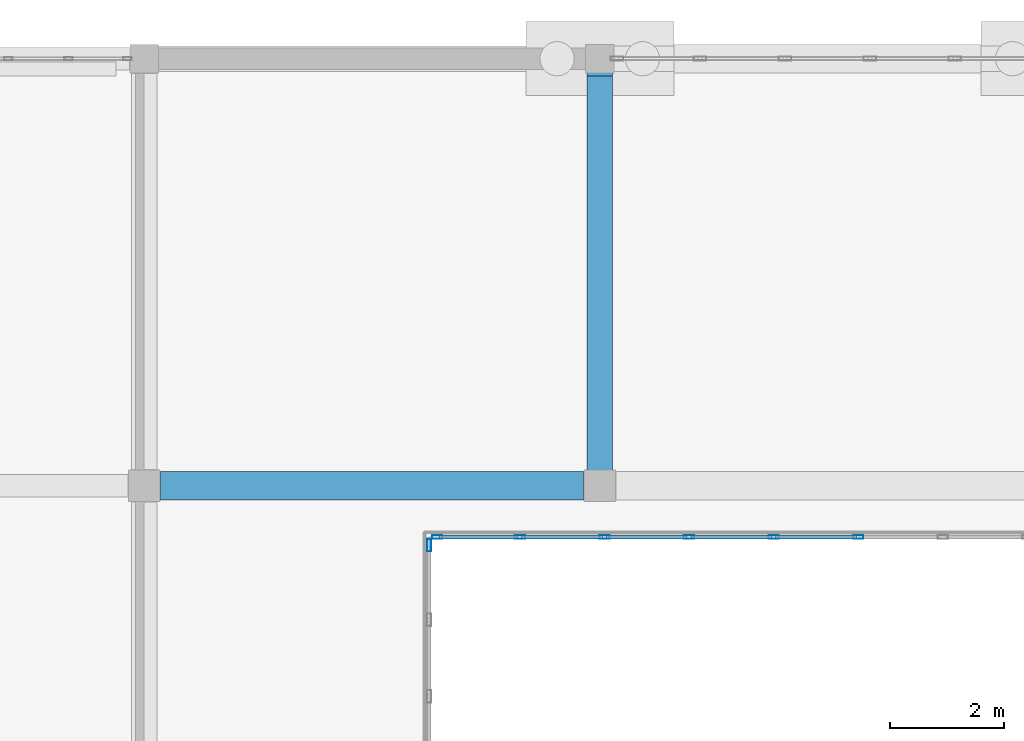
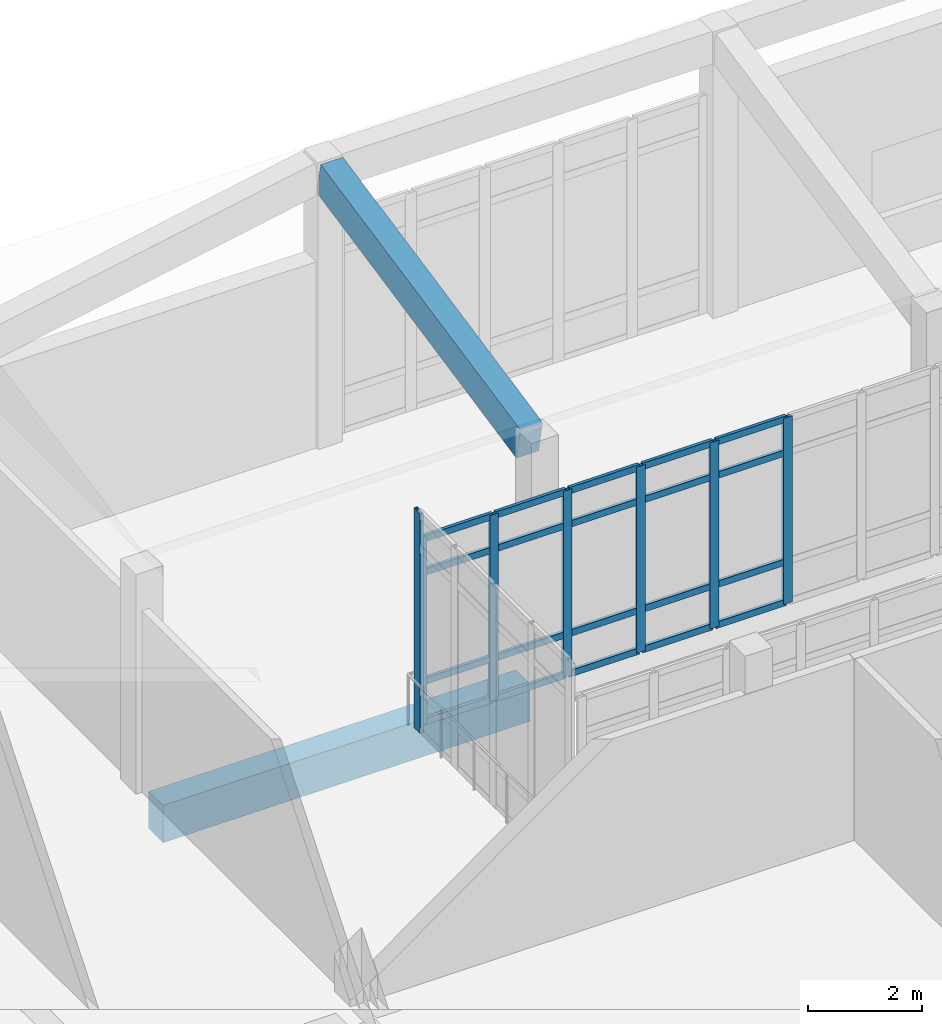
# One storey, part 87 of 173: 27 members, 2 beams, 2 elements without a shape of their own.
"""IFC4 building model written with IfcOpenShell, lengths in metres."""

from ifc_helpers import new_model, si_unit, direction, frame, origin, origin_2d, place, context, subcontext, project, spatial, rectangle, hollow_rectangle, extrude, material, layer, layer_set, material_profile, profile_set, type_object, element, aggregate, save


model = new_model("IFC4")

# Units and contexts
model_context = context("Model", 3, precision=1e-05, world=origin(), true_north=direction((0.0, 1.0)))
body_context = subcontext(model_context, "Body", "Model", "MODEL_VIEW")
ifc_project = project(units=[si_unit("LENGTHUNIT", "METRE"), si_unit("AREAUNIT", "SQUARE_METRE"), si_unit("VOLUMEUNIT", "CUBIC_METRE"), si_unit("PLANEANGLEUNIT", "RADIAN"), si_unit("MASSUNIT", "GRAM", prefix="KILO")], contexts=[model_context])

# Site, building, storey
site_placement = place(None, origin())
site = spatial("IfcSite", under=ifc_project, at=site_placement, CompositionType="ELEMENT")
building_placement = place(site_placement, origin())
building = spatial("IfcBuilding", under=site, at=building_placement, Name="Mawjan Specialist Oncology Clinic", CompositionType="ELEMENT")
storey_placement = place(building_placement, origin())
storey = spatial("IfcBuildingStorey", under=building, at=storey_placement, Name="L00", CompositionType="ELEMENT", Elevation=0.0)

# Beams
ifc_material_1 = material(Name="Concrete C40/50", Category="concrete")
ifc_material_profile_1 = material_profile(ifc_material_1, rectangle(XDim=0.449951171875, YDim=0.699951171875, at=origin_2d()), Name="RC BM 450x700", Category="concrete")
ifc_profile_set_1 = profile_set([ifc_material_profile_1], Name="Concrete C40/50")
beam_type_1 = type_object("IfcBeamType", Name="BM-450x700", PredefinedType="BEAM", material=ifc_profile_set_1)
beam_1_placement = place(storey_placement, frame((116.0, 106.06005859375, 4.35009765625), z_axis=(0.0, 0.979626475295, 0.200828207434), x_axis=(-1.0, 0.0, 0.0)))
element("IfcBeam", 1, at=beam_1_placement, inside=storey, type_object=beam_type_1, Name="L00 Roof Framing Beam BM-RF-L00-1272", PredefinedType="BEAM", context=body_context, shape_type="SweptSolid", body=[
    extrude(rectangle(XDim=0.449951171875, YDim=0.699951171875, at=origin_2d()), origin(), (0.0, 0.0, 1.0), 7.150634765625),
])
ifc_material_2 = material(Name="Concrete C45/55", Category="concrete")
ifc_material_profile_2 = material_profile(ifc_material_2, rectangle(XDim=0.5, YDim=0.800048828125, at=origin_2d()), Name="RC BM 500x800", Category="concrete")
ifc_profile_set_2 = profile_set([ifc_material_profile_2], Name="Concrete C45/55")
beam_type_2 = type_object("IfcBeamType", Name="BM-500x800", PredefinedType="BEAM", material=ifc_profile_set_2)
beam_2_placement = place(storey_placement, frame((108.284912109375, 105.800048828125, -0.85009765625), z_axis=(1.0, 0.0, 0.0), x_axis=(0.0, 1.0, 0.0)))
element("IfcBeam", 2, at=beam_2_placement, inside=storey, type_object=beam_type_2, Name="L00 Collector Beam BM-L00-0095", PredefinedType="BEAM", context=body_context, shape_type="SweptSolid", body=[
    extrude(rectangle(XDim=0.5, YDim=0.800048828125, at=origin_2d()), origin(), (0.0, 0.0, 1.0), 7.43017578125),
])

# Curtain wall, members
ifc_material_3 = material(Name="Unitised spectrally selective aluminium curtain wall", Category="aluminium")
ifc_layer_1 = layer(ifc_material_3, 0.179931640625, Name="Unitised spectrally selective aluminium curtain wall", Category="aluminium")
ifc_layer_set_1 = layer_set([ifc_layer_1], Name="Unitised spectrally selective aluminium curtain wall")
curtain_wall_type_1 = type_object("IfcCurtainWallType", Name="CW-33", PredefinedType="NOTDEFINED", material=ifc_layer_set_1)
curtain_wall_1_placement = place(storey_placement, origin())
curtain_wall_1 = element("IfcCurtainWall", 3, at=curtain_wall_1_placement, inside=storey, type_object=curtain_wall_type_1, Name="L00 Unitised Curtain Wall CW-L00-072", PredefinedType="NOTDEFINED")
ifc_material_4 = material(Name="Thermally broken aluminium 6063-T6", Category="aluminium")
ifc_material_profile_3 = material_profile(ifc_material_4, hollow_rectangle(XDim=0.06494140625, YDim=0.179931640625, WallThickness=0.00390625, at=origin_2d()), Name="ALU MULLION 180x65x4", Category="aluminium")
ifc_profile_set_3 = profile_set([ifc_material_profile_3], Name="Thermally broken aluminium 6063-T6")
member_type_1 = type_object("IfcMemberType", Name="CW-M180", PredefinedType="MULLION", material=ifc_profile_set_3)
member_1_placement = place(storey_placement, frame((120.54052734375, 104.89990234375, 0.0), z_axis=(0.0, 0.0, 1.0), x_axis=(0.0, -1.0, 0.0)))
member_1 = element("IfcMember", 4, at=member_1_placement, type_object=member_type_1, Name="CW-33 mullion 19", PredefinedType="MULLION", context=body_context, shape_type="SweptSolid", body=[
    extrude(hollow_rectangle(XDim=0.06494140625, YDim=0.179931640625, WallThickness=0.00390625, at=origin_2d()), origin(), (0.0, 0.0, 1.0), 3.985107421875),
])
member_2_placement = place(storey_placement, frame((119.054443359375, 104.89990234375, 0.0), z_axis=(0.0, 0.0, 1.0), x_axis=(0.0, -1.0, 0.0)))
member_2 = element("IfcMember", 5, at=member_2_placement, type_object=member_type_1, Name="CW-33 mullion 20", PredefinedType="MULLION", context=body_context, shape_type="SweptSolid", body=[
    extrude(hollow_rectangle(XDim=0.06494140625, YDim=0.179931640625, WallThickness=0.00390625, at=origin_2d()), origin(), (0.0, 0.0, 1.0), 3.985107421875),
])
member_3_placement = place(storey_placement, frame((117.568359375, 104.89990234375, 0.0), z_axis=(0.0, 0.0, 1.0), x_axis=(0.0, -1.0, 0.0)))
member_3 = element("IfcMember", 6, at=member_3_placement, type_object=member_type_1, Name="CW-33 mullion 21", PredefinedType="MULLION", context=body_context, shape_type="SweptSolid", body=[
    extrude(hollow_rectangle(XDim=0.06494140625, YDim=0.179931640625, WallThickness=0.00390625, at=origin_2d()), origin(), (0.0, 0.0, 1.0), 3.985107421875),
])
member_4_placement = place(storey_placement, frame((116.082275390625, 104.89990234375, 0.0), z_axis=(0.0, 0.0, 1.0), x_axis=(0.0, -1.0, 0.0)))
member_4 = element("IfcMember", 7, at=member_4_placement, type_object=member_type_1, Name="CW-33 mullion 22", PredefinedType="MULLION", context=body_context, shape_type="SweptSolid", body=[
    extrude(hollow_rectangle(XDim=0.06494140625, YDim=0.179931640625, WallThickness=0.00390625, at=origin_2d()), origin(), (0.0, 0.0, 1.0), 3.985107421875),
])
member_5_placement = place(storey_placement, frame((114.59619140625, 104.89990234375, 0.0), z_axis=(0.0, 0.0, 1.0), x_axis=(0.0, -1.0, 0.0)))
member_5 = element("IfcMember", 8, at=member_5_placement, type_object=member_type_1, Name="CW-33 mullion 23", PredefinedType="MULLION", context=body_context, shape_type="SweptSolid", body=[
    extrude(hollow_rectangle(XDim=0.06494140625, YDim=0.179931640625, WallThickness=0.00390625, at=origin_2d()), origin(), (0.0, 0.0, 1.0), 3.985107421875),
])
member_6_placement = place(storey_placement, frame((113.142578125, 104.89990234375, 0.0), z_axis=(0.0, 0.0, 1.0), x_axis=(0.0, -1.0, 0.0)))
member_6 = element("IfcMember", 9, at=member_6_placement, type_object=member_type_1, Name="CW-33 mullion 24", PredefinedType="MULLION", context=body_context, shape_type="SweptSolid", body=[
    extrude(hollow_rectangle(XDim=0.06494140625, YDim=0.179931640625, WallThickness=0.00390625, at=origin_2d()), origin(), (0.0, 0.0, 1.0), 3.985107421875),
])

# Curtain wall, member
ifc_material_5 = material(Name="Unitised spectrally selective aluminium curtain wall", Category="aluminium")
ifc_layer_2 = layer(ifc_material_5, 0.179931640625, Name="Unitised spectrally selective aluminium curtain wall", Category="aluminium")
ifc_layer_set_2 = layer_set([ifc_layer_2], Name="Unitised spectrally selective aluminium curtain wall")
curtain_wall_type_2 = type_object("IfcCurtainWallType", Name="CW-32", PredefinedType="NOTDEFINED", material=ifc_layer_set_2)
curtain_wall_2_placement = place(storey_placement, origin())
curtain_wall_2 = element("IfcCurtainWall", 10, at=curtain_wall_2_placement, inside=storey, type_object=curtain_wall_type_2, Name="L00 Unitised Curtain Wall CW-L00-073", PredefinedType="NOTDEFINED")
ifc_material_6 = material(Name="Thermally broken aluminium 6063-T6", Category="aluminium")
ifc_material_profile_4 = material_profile(ifc_material_6, hollow_rectangle(XDim=0.070068359375, YDim=0.219970703125, WallThickness=0.00390625, at=origin_2d()), Name="ALU MULLION 220x70x4", Category="aluminium")
ifc_profile_set_4 = profile_set([ifc_material_profile_4], Name="Thermally broken aluminium 6063-T6")
member_type_2 = type_object("IfcMemberType", Name="CW-M220", PredefinedType="MULLION", material=ifc_profile_set_4)
member_7_placement = place(storey_placement, frame((113.0, 104.7548828125, 0.0), z_axis=(0.0, 0.0, 1.0), x_axis=(1.0, 0.0, 0.0)))
member_7 = element("IfcMember", 11, at=member_7_placement, type_object=member_type_2, Name="CW-32 mullion 1", PredefinedType="MULLION", context=body_context, shape_type="SweptSolid", body=[
    extrude(hollow_rectangle(XDim=0.070068359375, YDim=0.219970703125, WallThickness=0.00390625, at=origin_2d()), origin(), (0.0, 0.0, 1.0), 4.699951171875),
])
aggregate(curtain_wall_2, [member_7])

# Member
ifc_material_7 = material(Name="Thermally broken aluminium 6063-T6", Category="aluminium")
ifc_material_profile_5 = material_profile(ifc_material_7, hollow_rectangle(XDim=0.06494140625, YDim=0.139892578125, WallThickness=0.00390625, at=origin_2d()), Name="ALU TRANSOM 140x65x4", Category="aluminium")
ifc_profile_set_5 = profile_set([ifc_material_profile_5], Name="Thermally broken aluminium 6063-T6")
member_type_3 = type_object("IfcMemberType", Name="CW-T140", PredefinedType="USERDEFINED", material=ifc_profile_set_5)
member_8_placement = place(storey_placement, frame((120.508056640625, 104.89990234375, 0.032470703125), z_axis=(-1.0, 0.0, 0.0), x_axis=(0.0, -1.0, 0.0)))
member_8 = element("IfcMember", 12, at=member_8_placement, type_object=member_type_3, Name="CW-33 transom 19.1", ObjectType="TRANSOM", PredefinedType="USERDEFINED", context=body_context, shape_type="SweptSolid", body=[
    extrude(hollow_rectangle(XDim=0.06494140625, YDim=0.139892578125, WallThickness=0.00390625, at=origin_2d()), origin(), (0.0, 0.0, 1.0), 1.421142578125),
])

member_9_placement = place(storey_placement, frame((120.508056640625, 104.89990234375, 0.89990234375), z_axis=(-1.0, 0.0, 0.0), x_axis=(0.0, -1.0, 0.0)))
member_9 = element("IfcMember", 13, at=member_9_placement, type_object=member_type_3, Name="CW-33 transom 19.2", ObjectType="TRANSOM", PredefinedType="USERDEFINED", context=body_context, shape_type="SweptSolid", body=[
    extrude(hollow_rectangle(XDim=0.06494140625, YDim=0.139892578125, WallThickness=0.00390625, at=origin_2d()), origin(), (0.0, 0.0, 1.0), 1.421142578125),
])

member_10_placement = place(storey_placement, frame((120.508056640625, 104.89990234375, 3.235107421875), z_axis=(-1.0, 0.0, 0.0), x_axis=(0.0, -1.0, 0.0)))
member_10 = element("IfcMember", 14, at=member_10_placement, type_object=member_type_3, Name="CW-33 transom 19.3", ObjectType="TRANSOM", PredefinedType="USERDEFINED", context=body_context, shape_type="SweptSolid", body=[
    extrude(hollow_rectangle(XDim=0.06494140625, YDim=0.139892578125, WallThickness=0.00390625, at=origin_2d()), origin(), (0.0, 0.0, 1.0), 1.421142578125),
])

member_11_placement = place(storey_placement, frame((120.508056640625, 104.89990234375, 3.952392578125), z_axis=(-1.0, 0.0, 0.0), x_axis=(0.0, -1.0, 0.0)))
member_11 = element("IfcMember", 15, at=member_11_placement, type_object=member_type_3, Name="CW-33 transom 19.4", ObjectType="TRANSOM", PredefinedType="USERDEFINED", context=body_context, shape_type="SweptSolid", body=[
    extrude(hollow_rectangle(XDim=0.06494140625, YDim=0.139892578125, WallThickness=0.00390625, at=origin_2d()), origin(), (0.0, 0.0, 1.0), 1.421142578125),
])

member_12_placement = place(storey_placement, frame((119.021728515625, 104.89990234375, 0.032470703125), z_axis=(-1.0, 0.0, 0.0), x_axis=(0.0, -1.0, 0.0)))
member_12 = element("IfcMember", 16, at=member_12_placement, type_object=member_type_3, Name="CW-33 transom 20.1", ObjectType="TRANSOM", PredefinedType="USERDEFINED", context=body_context, shape_type="SweptSolid", body=[
    extrude(hollow_rectangle(XDim=0.06494140625, YDim=0.139892578125, WallThickness=0.00390625, at=origin_2d()), origin(), (0.0, 0.0, 1.0), 1.4208984375),
])

member_13_placement = place(storey_placement, frame((119.021728515625, 104.89990234375, 0.89990234375), z_axis=(-1.0, 0.0, 0.0), x_axis=(0.0, -1.0, 0.0)))
member_13 = element("IfcMember", 17, at=member_13_placement, type_object=member_type_3, Name="CW-33 transom 20.2", ObjectType="TRANSOM", PredefinedType="USERDEFINED", context=body_context, shape_type="SweptSolid", body=[
    extrude(hollow_rectangle(XDim=0.06494140625, YDim=0.139892578125, WallThickness=0.00390625, at=origin_2d()), origin(), (0.0, 0.0, 1.0), 1.4208984375),
])

member_14_placement = place(storey_placement, frame((119.021728515625, 104.89990234375, 3.235107421875), z_axis=(-1.0, 0.0, 0.0), x_axis=(0.0, -1.0, 0.0)))
member_14 = element("IfcMember", 18, at=member_14_placement, type_object=member_type_3, Name="CW-33 transom 20.3", ObjectType="TRANSOM", PredefinedType="USERDEFINED", context=body_context, shape_type="SweptSolid", body=[
    extrude(hollow_rectangle(XDim=0.06494140625, YDim=0.139892578125, WallThickness=0.00390625, at=origin_2d()), origin(), (0.0, 0.0, 1.0), 1.4208984375),
])

member_15_placement = place(storey_placement, frame((119.021728515625, 104.89990234375, 3.952392578125), z_axis=(-1.0, 0.0, 0.0), x_axis=(0.0, -1.0, 0.0)))
member_15 = element("IfcMember", 19, at=member_15_placement, type_object=member_type_3, Name="CW-33 transom 20.4", ObjectType="TRANSOM", PredefinedType="USERDEFINED", context=body_context, shape_type="SweptSolid", body=[
    extrude(hollow_rectangle(XDim=0.06494140625, YDim=0.139892578125, WallThickness=0.00390625, at=origin_2d()), origin(), (0.0, 0.0, 1.0), 1.4208984375),
])

member_16_placement = place(storey_placement, frame((117.53564453125, 104.89990234375, 0.032470703125), z_axis=(-1.0, 0.0, 0.0), x_axis=(0.0, -1.0, 0.0)))
member_16 = element("IfcMember", 20, at=member_16_placement, type_object=member_type_3, Name="CW-33 transom 21.1", ObjectType="TRANSOM", PredefinedType="USERDEFINED", context=body_context, shape_type="SweptSolid", body=[
    extrude(hollow_rectangle(XDim=0.06494140625, YDim=0.139892578125, WallThickness=0.00390625, at=origin_2d()), origin(), (0.0, 0.0, 1.0), 1.4208984375),
])

member_17_placement = place(storey_placement, frame((117.53564453125, 104.89990234375, 0.89990234375), z_axis=(-1.0, 0.0, 0.0), x_axis=(0.0, -1.0, 0.0)))
member_17 = element("IfcMember", 21, at=member_17_placement, type_object=member_type_3, Name="CW-33 transom 21.2", ObjectType="TRANSOM", PredefinedType="USERDEFINED", context=body_context, shape_type="SweptSolid", body=[
    extrude(hollow_rectangle(XDim=0.06494140625, YDim=0.139892578125, WallThickness=0.00390625, at=origin_2d()), origin(), (0.0, 0.0, 1.0), 1.4208984375),
])

member_18_placement = place(storey_placement, frame((117.53564453125, 104.89990234375, 3.235107421875), z_axis=(-1.0, 0.0, 0.0), x_axis=(0.0, -1.0, 0.0)))
member_18 = element("IfcMember", 22, at=member_18_placement, type_object=member_type_3, Name="CW-33 transom 21.3", ObjectType="TRANSOM", PredefinedType="USERDEFINED", context=body_context, shape_type="SweptSolid", body=[
    extrude(hollow_rectangle(XDim=0.06494140625, YDim=0.139892578125, WallThickness=0.00390625, at=origin_2d()), origin(), (0.0, 0.0, 1.0), 1.4208984375),
])

member_19_placement = place(storey_placement, frame((117.53564453125, 104.89990234375, 3.952392578125), z_axis=(-1.0, 0.0, 0.0), x_axis=(0.0, -1.0, 0.0)))
member_19 = element("IfcMember", 23, at=member_19_placement, type_object=member_type_3, Name="CW-33 transom 21.4", ObjectType="TRANSOM", PredefinedType="USERDEFINED", context=body_context, shape_type="SweptSolid", body=[
    extrude(hollow_rectangle(XDim=0.06494140625, YDim=0.139892578125, WallThickness=0.00390625, at=origin_2d()), origin(), (0.0, 0.0, 1.0), 1.4208984375),
])

member_20_placement = place(storey_placement, frame((116.049560546875, 104.89990234375, 0.032470703125), z_axis=(-1.0, 0.0, 0.0), x_axis=(0.0, -1.0, 0.0)))
member_20 = element("IfcMember", 24, at=member_20_placement, type_object=member_type_3, Name="CW-33 transom 22.1", ObjectType="TRANSOM", PredefinedType="USERDEFINED", context=body_context, shape_type="SweptSolid", body=[
    extrude(hollow_rectangle(XDim=0.06494140625, YDim=0.139892578125, WallThickness=0.00390625, at=origin_2d()), origin(), (0.0, 0.0, 1.0), 1.4208984375),
])

member_21_placement = place(storey_placement, frame((116.049560546875, 104.89990234375, 0.89990234375), z_axis=(-1.0, 0.0, 0.0), x_axis=(0.0, -1.0, 0.0)))
member_21 = element("IfcMember", 25, at=member_21_placement, type_object=member_type_3, Name="CW-33 transom 22.2", ObjectType="TRANSOM", PredefinedType="USERDEFINED", context=body_context, shape_type="SweptSolid", body=[
    extrude(hollow_rectangle(XDim=0.06494140625, YDim=0.139892578125, WallThickness=0.00390625, at=origin_2d()), origin(), (0.0, 0.0, 1.0), 1.4208984375),
])

member_22_placement = place(storey_placement, frame((116.049560546875, 104.89990234375, 3.235107421875), z_axis=(-1.0, 0.0, 0.0), x_axis=(0.0, -1.0, 0.0)))
member_22 = element("IfcMember", 26, at=member_22_placement, type_object=member_type_3, Name="CW-33 transom 22.3", ObjectType="TRANSOM", PredefinedType="USERDEFINED", context=body_context, shape_type="SweptSolid", body=[
    extrude(hollow_rectangle(XDim=0.06494140625, YDim=0.139892578125, WallThickness=0.00390625, at=origin_2d()), origin(), (0.0, 0.0, 1.0), 1.4208984375),
])

member_23_placement = place(storey_placement, frame((116.049560546875, 104.89990234375, 3.952392578125), z_axis=(-1.0, 0.0, 0.0), x_axis=(0.0, -1.0, 0.0)))
member_23 = element("IfcMember", 27, at=member_23_placement, type_object=member_type_3, Name="CW-33 transom 22.4", ObjectType="TRANSOM", PredefinedType="USERDEFINED", context=body_context, shape_type="SweptSolid", body=[
    extrude(hollow_rectangle(XDim=0.06494140625, YDim=0.139892578125, WallThickness=0.00390625, at=origin_2d()), origin(), (0.0, 0.0, 1.0), 1.4208984375),
])

member_24_placement = place(storey_placement, frame((114.5634765625, 104.89990234375, 0.032470703125), z_axis=(-1.0, 0.0, 0.0), x_axis=(0.0, -1.0, 0.0)))
member_24 = element("IfcMember", 28, at=member_24_placement, type_object=member_type_3, Name="CW-33 transom 23.1", ObjectType="TRANSOM", PredefinedType="USERDEFINED", context=body_context, shape_type="SweptSolid", body=[
    extrude(hollow_rectangle(XDim=0.06494140625, YDim=0.139892578125, WallThickness=0.00390625, at=origin_2d()), origin(), (0.0, 0.0, 1.0), 1.388427734375),
])

member_25_placement = place(storey_placement, frame((114.5634765625, 104.89990234375, 0.89990234375), z_axis=(-1.0, 0.0, 0.0), x_axis=(0.0, -1.0, 0.0)))
member_25 = element("IfcMember", 29, at=member_25_placement, type_object=member_type_3, Name="CW-33 transom 23.2", ObjectType="TRANSOM", PredefinedType="USERDEFINED", context=body_context, shape_type="SweptSolid", body=[
    extrude(hollow_rectangle(XDim=0.06494140625, YDim=0.139892578125, WallThickness=0.00390625, at=origin_2d()), origin(), (0.0, 0.0, 1.0), 1.388427734375),
])

member_26_placement = place(storey_placement, frame((114.5634765625, 104.89990234375, 3.235107421875), z_axis=(-1.0, 0.0, 0.0), x_axis=(0.0, -1.0, 0.0)))
member_26 = element("IfcMember", 30, at=member_26_placement, type_object=member_type_3, Name="CW-33 transom 23.3", ObjectType="TRANSOM", PredefinedType="USERDEFINED", context=body_context, shape_type="SweptSolid", body=[
    extrude(hollow_rectangle(XDim=0.06494140625, YDim=0.139892578125, WallThickness=0.00390625, at=origin_2d()), origin(), (0.0, 0.0, 1.0), 1.388427734375),
])

member_27_placement = place(storey_placement, frame((114.5634765625, 104.89990234375, 3.952392578125), z_axis=(-1.0, 0.0, 0.0), x_axis=(0.0, -1.0, 0.0)))
member_27 = element("IfcMember", 31, at=member_27_placement, type_object=member_type_3, Name="CW-33 transom 23.4", ObjectType="TRANSOM", PredefinedType="USERDEFINED", context=body_context, shape_type="SweptSolid", body=[
    extrude(hollow_rectangle(XDim=0.06494140625, YDim=0.139892578125, WallThickness=0.00390625, at=origin_2d()), origin(), (0.0, 0.0, 1.0), 1.388427734375),
])

aggregate(curtain_wall_1, [member_1, member_2, member_3, member_4, member_5, member_6, member_8, member_9, member_10, member_11, member_12, member_13, member_14, member_15, member_16, member_17, member_18, member_19, member_20, member_21, member_22, member_23, member_24, member_25, member_26, member_27])

save(model, "model.ifc")
